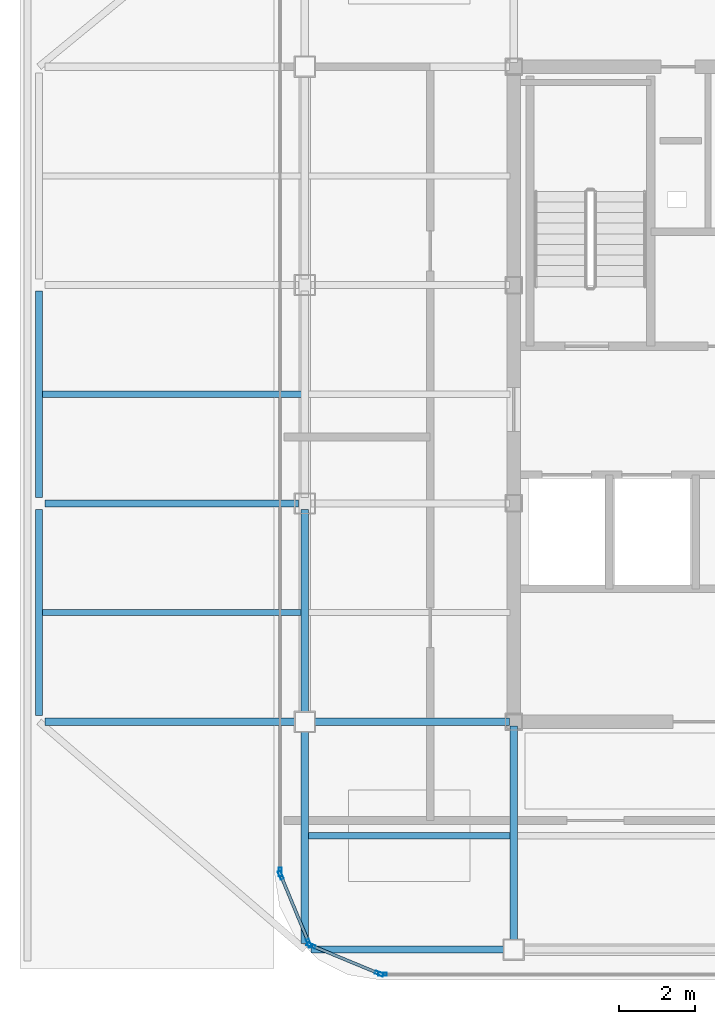
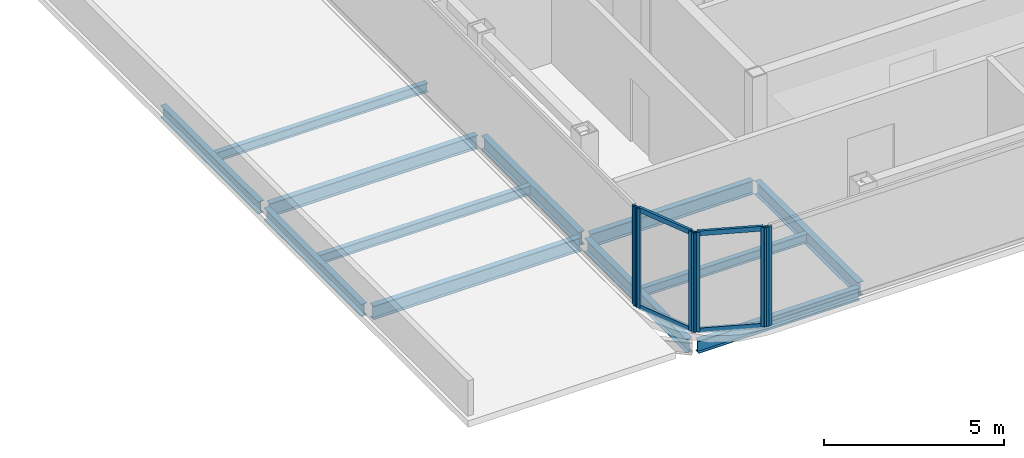
# One storey, part 2 of 11: 12 beams, 10 members, 4 elements without a shape of their own.
"""IFC4 building model written with IfcOpenShell, lengths in metres."""

from ifc_helpers import new_model, si_unit, direction, frame, origin, origin_2d, place, context, subcontext, project, spatial, hollow_rectangle, i_section, extrude, source, transform, mapped, material, layer, layer_set, material_profile, profile_set, type_object, element, aggregate, save


model = new_model("IFC4")

# Units and contexts
model_context = context("Model", 3, precision=1e-05, world=origin(), true_north=direction((0.0, 1.0)))
body_context = subcontext(model_context, "Body", "Model", "MODEL_VIEW")
ifc_project = project(units=[si_unit("LENGTHUNIT", "METRE"), si_unit("AREAUNIT", "SQUARE_METRE"), si_unit("VOLUMEUNIT", "CUBIC_METRE"), si_unit("PLANEANGLEUNIT", "RADIAN"), si_unit("MASSUNIT", "GRAM", prefix="KILO")], contexts=[model_context])

# Site, building, storey
site_placement = place(None, origin())
site = spatial("IfcSite", under=ifc_project, at=site_placement, CompositionType="ELEMENT")
building_placement = place(site_placement, origin())
building = spatial("IfcBuilding", under=site, at=building_placement, Name="Kolveth Station Tower", CompositionType="ELEMENT")
storey_placement = place(building_placement, frame((0.0, 0.0, 278.5)))
storey = spatial("IfcBuildingStorey", under=building, at=storey_placement, Name="L80", CompositionType="ELEMENT", Elevation=278.5)

# Beams
ifc_material_1 = material(Name="Steel S355", Category="steel")
ifc_material_profile_1 = material_profile(ifc_material_1, i_section(OverallWidth=0.180908203125, OverallDepth=0.4169921875, WebThickness=0.010986328125, FlangeThickness=0.018310546875, at=origin_2d()), Name="W410x85")
ifc_profile_set_1 = profile_set([ifc_material_profile_1], Name="Steel S355")
beam_type_1 = type_object("IfcBeamType", Name="Beam_B8", PredefinedType="BEAM", material=ifc_profile_set_1)
shared_shape_1 = source(origin(), body_context, "Body", "SweptSolid", [
    extrude(i_section(OverallWidth=0.180908203125, OverallDepth=0.4169921875, WebThickness=0.010986328125, FlangeThickness=0.018310546875, at=origin_2d()), origin(), (0.0, 0.0, 1.0), 5.18017578125),
])
beam_1_placement = place(storey_placement, frame((13.159912109375, 5.5, -0.428466796875), z_axis=(1.0, 0.0, 0.0), x_axis=(0.0, 1.0, 0.0)))
element("IfcBeam", 1, at=beam_1_placement, inside=storey, type_object=beam_type_1, Name="L80 Perimeter Spandrel BM-L80-PS-1", PredefinedType="BEAM", context=body_context, shape_type="MappedRepresentation", body=[
    mapped(shared_shape_1, transform((0.0, 0.0, 0.0), x_axis=(1.0, 0.0, 0.0), y_axis=(0.0, 1.0, 0.0), z_axis=(0.0, 0.0, 1.0), scale=1.0)),
])
shared_shape_2 = source(origin(), body_context, "Body", "SweptSolid", [
    extrude(i_section(OverallWidth=0.180908203125, OverallDepth=0.4169921875, WebThickness=0.010986328125, FlangeThickness=0.018310546875, at=origin_2d()), origin(), (0.0, 0.0, 1.0), 5.43017578125),
])
for number, where, z_axis, x_axis, name in (
    (2, (6.0, 11.659912109375, -0.428466796875), (0.0, 1.0, 0.0), (-1.0, 0.0, 0.0), "L80 Perimeter Spandrel BM-L80-PW-1"),
    (3, (6.0, 17.409912109375, -0.428466796875), (0.0, 1.0, 0.0), (-1.0, 0.0, 0.0), "L80 Perimeter Spandrel BM-L80-PW-2"),
):
    element("IfcBeam", number, at=place(storey_placement, frame(where, z_axis=z_axis, x_axis=x_axis)), inside=storey, type_object=beam_type_1, Name=name, PredefinedType="BEAM", context=body_context, shape_type="MappedRepresentation", body=[
        mapped(shared_shape_2, transform((0.0, 0.0, 0.0), x_axis=(1.0, 0.0, 0.0), y_axis=(0.0, 1.0, 0.0), z_axis=(0.0, 0.0, 1.0), scale=1.0)),
    ])
ifc_material_profile_2 = material_profile(ifc_material_1, i_section(OverallWidth=0.19091796875, OverallDepth=0.4599609375, WebThickness=0.010009765625, FlangeThickness=0.01611328125, at=origin_2d()), Name="W460x82")
ifc_profile_set_2 = profile_set([ifc_material_profile_2], Name="Steel S355")
beam_type_2 = type_object("IfcBeamType", Name="Beam_B7", PredefinedType="BEAM", material=ifc_profile_set_2)
shared_shape_3 = source(origin(), body_context, "Body", "SweptSolid", [
    extrude(i_section(OverallWidth=0.19091796875, OverallDepth=0.4599609375, WebThickness=0.010009765625, FlangeThickness=0.01611328125, at=origin_2d()), origin(), (0.0, 0.0, 1.0), 6.68017578125),
])
for number, where, z_axis, x_axis, name in (
    (4, (6.159912109375, 11.5, -0.449951171875), (1.0, 0.0, 0.0), (0.0, 1.0, 0.0), "L80 Primary Girder BM-L80-GY115-1"),
    (5, (6.159912109375, 17.25, -0.449951171875), (1.0, 0.0, 0.0), (0.0, 1.0, 0.0), "L80 Primary Girder BM-L80-GY172-1"),
):
    element("IfcBeam", number, at=place(storey_placement, frame(where, z_axis=z_axis, x_axis=x_axis)), inside=storey, type_object=beam_type_2, Name=name, PredefinedType="BEAM", context=body_context, shape_type="MappedRepresentation", body=[
        mapped(shared_shape_3, transform((0.0, 0.0, 0.0), x_axis=(1.0, 0.0, 0.0), y_axis=(0.0, 1.0, 0.0), z_axis=(0.0, 0.0, 1.0), scale=1.0)),
    ])
shared_shape_4 = source(origin(), body_context, "Body", "SweptSolid", [
    extrude(i_section(OverallWidth=0.19091796875, OverallDepth=0.4599609375, WebThickness=0.010009765625, FlangeThickness=0.01611328125, at=origin_2d()), origin(), (0.0, 0.0, 1.0), 5.22998046875),
])
beam_2_placement = place(storey_placement, frame((13.159912109375, 11.5, -0.449951171875), z_axis=(1.0, 0.0, 0.0), x_axis=(0.0, 1.0, 0.0)))
element("IfcBeam", 6, at=beam_2_placement, inside=storey, type_object=beam_type_2, Name="L80 Primary Girder BM-L80-GY115-2", PredefinedType="BEAM", context=body_context, shape_type="MappedRepresentation", body=[
    mapped(shared_shape_4, transform((0.0, 0.0, 0.0), x_axis=(1.0, 0.0, 0.0), y_axis=(0.0, 1.0, 0.0), z_axis=(0.0, 0.0, 1.0), scale=1.0)),
])
shared_shape_5 = source(origin(), body_context, "Body", "SweptSolid", [
    extrude(i_section(OverallWidth=0.19091796875, OverallDepth=0.4599609375, WebThickness=0.010009765625, FlangeThickness=0.01611328125, at=origin_2d()), origin(), (0.0, 0.0, 1.0), 5.68017578125),
])
beam_3_placement = place(storey_placement, frame((13.0, 5.659912109375, -0.449951171875), z_axis=(0.0, 1.0, 0.0), x_axis=(-1.0, 0.0, 0.0)))
element("IfcBeam", 7, at=beam_3_placement, inside=storey, type_object=beam_type_2, Name="L80 Primary Girder BM-L80-GX130-1", PredefinedType="BEAM", context=body_context, shape_type="MappedRepresentation", body=[
    mapped(shared_shape_5, transform((0.0, 0.0, 0.0), x_axis=(1.0, 0.0, 0.0), y_axis=(0.0, 1.0, 0.0), z_axis=(0.0, 0.0, 1.0), scale=1.0)),
])
shared_shape_6 = source(origin(), body_context, "Body", "SweptSolid", [
    extrude(i_section(OverallWidth=0.19091796875, OverallDepth=0.4599609375, WebThickness=0.010009765625, FlangeThickness=0.01611328125, at=origin_2d()), origin(), (0.0, 0.0, 1.0), 5.43017578125),
])
beam_4_placement = place(storey_placement, frame((13.0, 11.659912109375, -0.449951171875), z_axis=(0.0, 1.0, 0.0), x_axis=(-1.0, 0.0, 0.0)))
element("IfcBeam", 8, at=beam_4_placement, inside=storey, type_object=beam_type_2, Name="L80 Primary Girder BM-L80-GX130-2", PredefinedType="BEAM", context=body_context, shape_type="MappedRepresentation", body=[
    mapped(shared_shape_6, transform((0.0, 0.0, 0.0), x_axis=(1.0, 0.0, 0.0), y_axis=(0.0, 1.0, 0.0), z_axis=(0.0, 0.0, 1.0), scale=1.0)),
])
shared_shape_7 = source(origin(), body_context, "Body", "SweptSolid", [
    extrude(i_section(OverallWidth=0.19091796875, OverallDepth=0.4599609375, WebThickness=0.010009765625, FlangeThickness=0.01611328125, at=origin_2d()), origin(), (0.0, 0.0, 1.0), 5.72998046875),
])
beam_5_placement = place(storey_placement, frame((18.5, 5.659912109375, -0.449951171875), z_axis=(0.0, 1.0, 0.0), x_axis=(-1.0, 0.0, 0.0)))
element("IfcBeam", 9, at=beam_5_placement, inside=storey, type_object=beam_type_2, Name="L80 Primary Girder BM-L80-GX185-1", PredefinedType="BEAM", context=body_context, shape_type="MappedRepresentation", body=[
    mapped(shared_shape_7, transform((0.0, 0.0, 0.0), x_axis=(1.0, 0.0, 0.0), y_axis=(0.0, 1.0, 0.0), z_axis=(0.0, 0.0, 1.0), scale=1.0)),
])
ifc_material_profile_3 = material_profile(ifc_material_1, i_section(OverallWidth=0.1650390625, OverallDepth=0.31005859375, WebThickness=0.005859375, FlangeThickness=0.009765625, at=origin_2d()), Name="W310x39")
ifc_profile_set_3 = profile_set([ifc_material_profile_3], Name="Steel S355")
beam_type_3 = type_object("IfcBeamType", Name="Beam_J3", PredefinedType="JOIST", material=ifc_profile_set_3)
shared_shape_8 = source(origin(), body_context, "Body", "SweptSolid", [
    extrude(i_section(OverallWidth=0.1650390625, OverallDepth=0.31005859375, WebThickness=0.005859375, FlangeThickness=0.009765625, at=origin_2d()), origin(), (0.0, 0.0, 1.0), 6.818115234375),
])
for number, where, z_axis, x_axis, name in (
    (10, (6.08837890625, 14.375, -0.375), (1.0, 0.0, 0.0), (0.0, 1.0, 0.0), "L80 Secondary Joist JST-L80-1-2"),
    (11, (6.08837890625, 20.125, -0.375), (1.0, 0.0, 0.0), (0.0, 1.0, 0.0), "L80 Secondary Joist JST-L80-1-3"),
):
    element("IfcBeam", number, at=place(storey_placement, frame(where, z_axis=z_axis, x_axis=x_axis)), inside=storey, type_object=beam_type_3, Name=name, PredefinedType="JOIST", context=body_context, shape_type="MappedRepresentation", body=[
        mapped(shared_shape_8, transform((0.0, 0.0, 0.0), x_axis=(1.0, 0.0, 0.0), y_axis=(0.0, 1.0, 0.0), z_axis=(0.0, 0.0, 1.0), scale=1.0)),
    ])
shared_shape_9 = source(origin(), body_context, "Body", "SweptSolid", [
    extrude(i_section(OverallWidth=0.1650390625, OverallDepth=0.31005859375, WebThickness=0.005859375, FlangeThickness=0.009765625, at=origin_2d()), origin(), (0.0, 0.0, 1.0), 5.31298828125),
])
beam_6_placement = place(storey_placement, frame((13.093505859375, 8.5, -0.375), z_axis=(1.0, 0.0, 0.0), x_axis=(0.0, 1.0, 0.0)))
element("IfcBeam", 12, at=beam_6_placement, inside=storey, type_object=beam_type_3, Name="L80 Secondary Joist JST-L80-2-1", PredefinedType="JOIST", context=body_context, shape_type="MappedRepresentation", body=[
    mapped(shared_shape_9, transform((0.0, 0.0, 0.0), x_axis=(1.0, 0.0, 0.0), y_axis=(0.0, 1.0, 0.0), z_axis=(0.0, 0.0, 1.0), scale=1.0)),
])

# Curtain wall, member
ifc_material_2 = material(Name="Black anodized aluminium 6063-T6 and dark crown glass", Category="aluminium")
ifc_layer = layer(ifc_material_2, 0.169921875)
ifc_layer_set = layer_set([ifc_layer], Name="Black anodized aluminium 6063-T6 and dark crown glass")
curtain_wall_type = type_object("IfcCurtainWallType", Name="CurtainWall_CW-CR", PredefinedType="NOTDEFINED", material=ifc_layer_set)
curtain_wall_1_placement = place(storey_placement, origin())
curtain_wall_1 = element("IfcCurtainWall", 13, at=curtain_wall_1_placement, inside=storey, type_object=curtain_wall_type, Name="L80 Stepped Crown Curtain Wall 9", PredefinedType="NOTDEFINED")
ifc_material_3 = material(Name="Black anodized aluminium 6063-T6", Category="aluminium")
ifc_material_profile_4 = material_profile(ifc_material_3, hollow_rectangle(XDim=0.0849609375, YDim=0.22998046875, WallThickness=0.0048828125, at=origin_2d()), Name="ALU-85x230x5")
ifc_profile_set_4 = profile_set([ifc_material_profile_4], Name="Black anodized aluminium 6063-T6")
member_type_1 = type_object("IfcMemberType", Name="Mullion_ML-CR", PredefinedType="MULLION", material=ifc_profile_set_4)
shared_shape_10 = source(origin(), body_context, "Body", "SweptSolid", [
    extrude(hollow_rectangle(XDim=0.0849609375, YDim=0.22998046875, WallThickness=0.0048828125, at=origin_2d()), origin(), (0.0, 0.0, 1.0), 3.3798828125),
])
member_1_placement = place(storey_placement, frame((12.35009765625, 7.54248046875, 0.0), z_axis=(0.0, 0.0, 1.0), x_axis=(1.0, 0.0, 0.0)))
member_1 = element("IfcMember", 14, at=member_1_placement, type_object=member_type_1, Name="CW-CR mullion 2", PredefinedType="MULLION", context=body_context, shape_type="MappedRepresentation", body=[
    mapped(shared_shape_10, transform((0.0, 0.0, 0.0), x_axis=(1.0, 0.0, 0.0), y_axis=(0.0, 1.0, 0.0), z_axis=(0.0, 0.0, 1.0), scale=1.0)),
])
aggregate(curtain_wall_1, [member_1])

# Curtain wall, members
curtain_wall_2_placement = place(storey_placement, origin())
curtain_wall_2 = element("IfcCurtainWall", 15, at=curtain_wall_2_placement, inside=storey, type_object=curtain_wall_type, Name="L80 Stepped Crown Curtain Wall 10", PredefinedType="NOTDEFINED")
member_2_placement = place(storey_placement, frame((12.3662109375, 7.460693359375, 0.0), z_axis=(0.0, 0.0, 1.0), x_axis=(0.92387140439, 0.382703054797, 0.0)))
member_2 = element("IfcMember", 16, at=member_2_placement, type_object=member_type_1, Name="CW-CR mullion 1", PredefinedType="MULLION", context=body_context, shape_type="MappedRepresentation", body=[
    mapped(shared_shape_10, transform((0.0, 0.0, 0.0), x_axis=(1.0, 0.0, 0.0), y_axis=(0.0, 1.0, 0.0), z_axis=(0.0, 0.0, 1.0), scale=1.0)),
])
member_3_placement = place(storey_placement, frame((13.10986328125, 5.66552734375, 0.0), z_axis=(0.0, 0.0, 1.0), x_axis=(0.92387140439, 0.382703054797, 0.0)))
member_3 = element("IfcMember", 17, at=member_3_placement, type_object=member_type_1, Name="CW-CR mullion 2", PredefinedType="MULLION", context=body_context, shape_type="MappedRepresentation", body=[
    mapped(shared_shape_10, transform((0.0, 0.0, 0.0), x_axis=(1.0, 0.0, 0.0), y_axis=(0.0, 1.0, 0.0), z_axis=(0.0, 0.0, 1.0), scale=1.0)),
])

curtain_wall_3_placement = place(storey_placement, origin())
curtain_wall_3 = element("IfcCurtainWall", 18, at=curtain_wall_3_placement, inside=storey, type_object=curtain_wall_type, Name="L80 Stepped Crown Curtain Wall 11", PredefinedType="NOTDEFINED")
member_4_placement = place(storey_placement, frame((13.16552734375, 5.60986328125, 0.0), z_axis=(0.0, 0.0, 1.0), x_axis=(0.382703054797, 0.92387140439, 0.0)))
member_4 = element("IfcMember", 19, at=member_4_placement, type_object=member_type_1, Name="CW-CR mullion 1", PredefinedType="MULLION", context=body_context, shape_type="MappedRepresentation", body=[
    mapped(shared_shape_10, transform((0.0, 0.0, 0.0), x_axis=(1.0, 0.0, 0.0), y_axis=(0.0, 1.0, 0.0), z_axis=(0.0, 0.0, 1.0), scale=1.0)),
])
member_5_placement = place(storey_placement, frame((14.960693359375, 4.8662109375, 0.0), z_axis=(0.0, 0.0, 1.0), x_axis=(0.382703054797, 0.92387140439, 0.0)))
member_5 = element("IfcMember", 20, at=member_5_placement, type_object=member_type_1, Name="CW-CR mullion 2", PredefinedType="MULLION", context=body_context, shape_type="MappedRepresentation", body=[
    mapped(shared_shape_10, transform((0.0, 0.0, 0.0), x_axis=(1.0, 0.0, 0.0), y_axis=(0.0, 1.0, 0.0), z_axis=(0.0, 0.0, 1.0), scale=1.0)),
])

# Curtain wall, member
curtain_wall_4_placement = place(storey_placement, origin())
curtain_wall_4 = element("IfcCurtainWall", 21, at=curtain_wall_4_placement, inside=storey, type_object=curtain_wall_type, Name="L80 Stepped Crown Curtain Wall 12", PredefinedType="NOTDEFINED")
member_6_placement = place(storey_placement, frame((15.04248046875, 4.85009765625, 0.0), z_axis=(0.0, 0.0, 1.0), x_axis=(0.0, 1.0, 0.0)))
member_6 = element("IfcMember", 22, at=member_6_placement, type_object=member_type_1, Name="CW-CR mullion 1", PredefinedType="MULLION", context=body_context, shape_type="MappedRepresentation", body=[
    mapped(shared_shape_10, transform((0.0, 0.0, 0.0), x_axis=(1.0, 0.0, 0.0), y_axis=(0.0, 1.0, 0.0), z_axis=(0.0, 0.0, 1.0), scale=1.0)),
])
aggregate(curtain_wall_4, [member_6])

# Member
ifc_material_profile_5 = material_profile(ifc_material_3, hollow_rectangle(XDim=0.080078125, YDim=0.1650390625, WallThickness=0.0048828125, at=origin_2d()), Name="ALU-80x165x5")
ifc_profile_set_5 = profile_set([ifc_material_profile_5], Name="Black anodized aluminium 6063-T6")
member_type_2 = type_object("IfcMemberType", Name="Transom_TR-CR", PredefinedType="USERDEFINED", material=ifc_profile_set_5)
shared_shape_11 = source(origin(), body_context, "Body", "SweptSolid", [
    extrude(hollow_rectangle(XDim=0.080078125, YDim=0.1650390625, WallThickness=0.0048828125, at=origin_2d()), origin(), (0.0, 0.0, 1.0), 1.858154296875),
])
member_7_placement = place(storey_placement, frame((12.382568359375, 7.42138671875, 0.0400390625), z_axis=(0.382757950997, -0.923848662362, 0.0), x_axis=(0.923848662362, 0.382757950997, 0.0)))
member_7 = element("IfcMember", 23, at=member_7_placement, type_object=member_type_2, Name="CW-CR transom 1.1", ObjectType="TRANSOM", PredefinedType="USERDEFINED", context=body_context, shape_type="MappedRepresentation", body=[
    mapped(shared_shape_11, transform((0.0, 0.0, 0.0), x_axis=(1.0, 0.0, 0.0), y_axis=(0.0, 1.0, 0.0), z_axis=(0.0, 0.0, 1.0), scale=1.0)),
])

member_8_placement = place(storey_placement, frame((12.382568359375, 7.42138671875, 3.340087890625), z_axis=(0.382757950997, -0.923848662362, 0.0), x_axis=(0.923848662362, 0.382757950997, 0.0)))
member_8 = element("IfcMember", 24, at=member_8_placement, type_object=member_type_2, Name="CW-CR transom 1.2", ObjectType="TRANSOM", PredefinedType="USERDEFINED", context=body_context, shape_type="MappedRepresentation", body=[
    mapped(shared_shape_11, transform((0.0, 0.0, 0.0), x_axis=(1.0, 0.0, 0.0), y_axis=(0.0, 1.0, 0.0), z_axis=(0.0, 0.0, 1.0), scale=1.0)),
])

aggregate(curtain_wall_2, [member_2, member_3, member_7, member_8])

member_9_placement = place(storey_placement, frame((13.204833984375, 5.59375, 0.0400390625), z_axis=(0.923848662362, -0.382757950997, 0.0), x_axis=(0.382757950997, 0.923848662362, 0.0)))
member_9 = element("IfcMember", 25, at=member_9_placement, type_object=member_type_2, Name="CW-CR transom 1.1", ObjectType="TRANSOM", PredefinedType="USERDEFINED", context=body_context, shape_type="MappedRepresentation", body=[
    mapped(shared_shape_11, transform((0.0, 0.0, 0.0), x_axis=(1.0, 0.0, 0.0), y_axis=(0.0, 1.0, 0.0), z_axis=(0.0, 0.0, 1.0), scale=1.0)),
])

member_10_placement = place(storey_placement, frame((13.204833984375, 5.59375, 3.340087890625), z_axis=(0.923848662362, -0.382757950997, 0.0), x_axis=(0.382757950997, 0.923848662362, 0.0)))
member_10 = element("IfcMember", 26, at=member_10_placement, type_object=member_type_2, Name="CW-CR transom 1.2", ObjectType="TRANSOM", PredefinedType="USERDEFINED", context=body_context, shape_type="MappedRepresentation", body=[
    mapped(shared_shape_11, transform((0.0, 0.0, 0.0), x_axis=(1.0, 0.0, 0.0), y_axis=(0.0, 1.0, 0.0), z_axis=(0.0, 0.0, 1.0), scale=1.0)),
])

aggregate(curtain_wall_3, [member_4, member_5, member_9, member_10])

save(model, "model.ifc")
